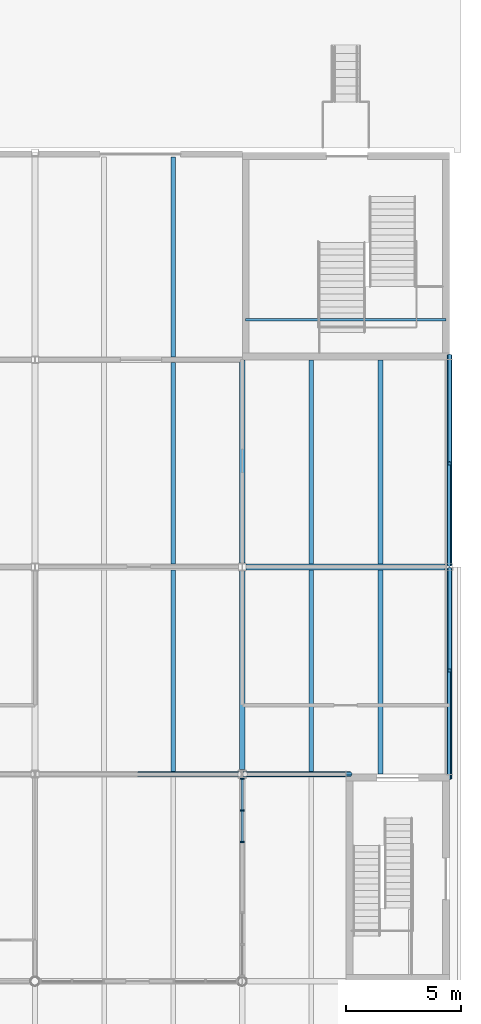
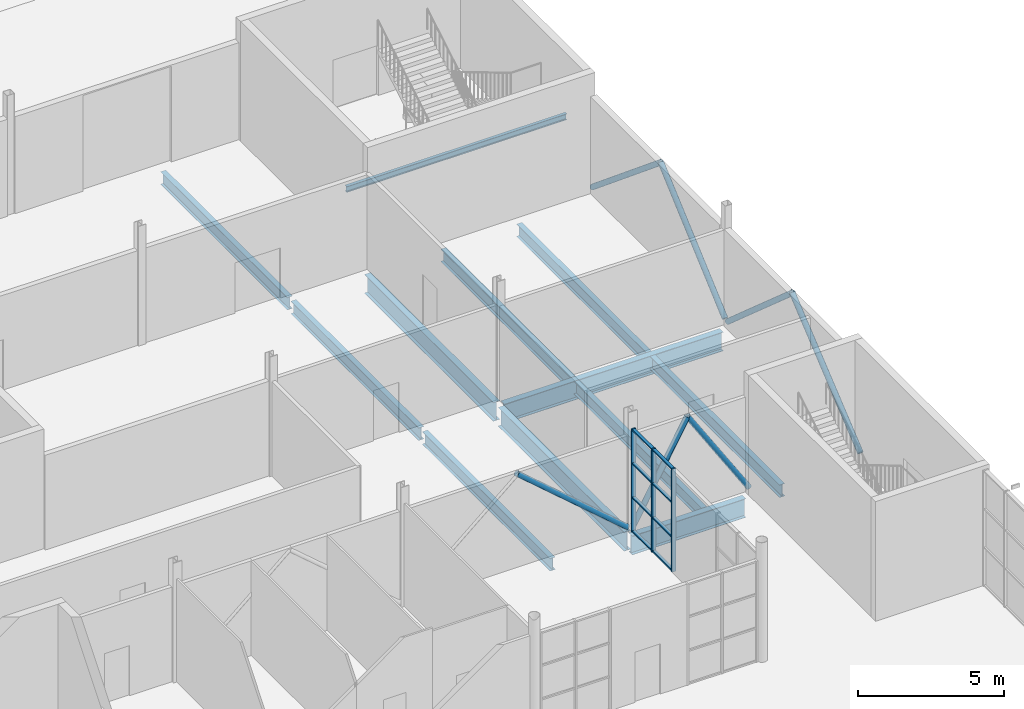
# One storey, part 27 of 63: 18 members, 12 beams, 1 element without a shape of its own.
"""IFC4 building model written with IfcOpenShell, lengths in metres."""

from ifc_helpers import new_model, si_unit, direction, frame, origin, origin_2d, place, context, subcontext, project, spatial, rectangle, hollow_circle, i_section, extrude, material, layer, layer_set, material_profile, profile_set, type_object, element, aggregate, save


model = new_model("IFC4")

# Units and contexts
model_context = context("Model", 3, precision=1e-05, world=origin(), true_north=direction((0.0, 1.0)))
body_context = subcontext(model_context, "Body", "Model", "MODEL_VIEW")
ifc_project = project(units=[si_unit("LENGTHUNIT", "METRE"), si_unit("AREAUNIT", "SQUARE_METRE"), si_unit("VOLUMEUNIT", "CUBIC_METRE"), si_unit("PLANEANGLEUNIT", "RADIAN"), si_unit("MASSUNIT", "GRAM", prefix="KILO")], contexts=[model_context])

# Site, building, storey
site_placement = place(None, origin())
site = spatial("IfcSite", under=ifc_project, at=site_placement, CompositionType="ELEMENT")
building_placement = place(site_placement, origin())
building = spatial("IfcBuilding", under=site, at=building_placement, Name="Halyard Row Museum", CompositionType="ELEMENT")
storey_placement = place(building_placement, origin())
storey = spatial("IfcBuildingStorey", under=building, at=storey_placement, Name="L00", CompositionType="ELEMENT", Elevation=0.0)

# Members
ifc_material_1 = material(Name="Steel Grade C350L0", Category="steel")
ifc_material_profile_1 = material_profile(ifc_material_1, hollow_circle(Radius=0.109619140625, WallThickness=0.00830078125, at=origin_2d()), Name="219.1x8.2CHS")
ifc_profile_set_1 = profile_set([ifc_material_profile_1], Name="Steel Grade C350L0")
member_type_1 = type_object("IfcMemberType", Name="Brace 219.1x8.2CHS", PredefinedType="BRACE", material=ifc_profile_set_1)
member_1_placement = place(storey_placement, frame((108.0, 35.830078125, 0.109619140625), z_axis=(0.0, 0.77065288235, 0.637255156845), x_axis=(-1.0, 0.0, 0.0)))
element("IfcMember", 1, at=member_1_placement, inside=storey, type_object=member_type_1, Name="Brace L00 X108 36-45 A", PredefinedType="BRACE", context=body_context, shape_type="SweptSolid", body=[
    extrude(hollow_circle(Radius=0.109619140625, WallThickness=0.00830078125, at=origin_2d()), origin(), (0.0, 0.0, 1.0), 6.059814453125),
])
for number, where, z_axis, x_axis, name in (
    (2, (108.0, 44.89990234375, 0.109619140625), (0.0, -0.751402913847, 0.659843664107), (1.0, 0.0, 0.0), "Brace L00 X108 36-45 B"),
    (3, (108.0, 45.10009765625, 0.109619140625), (0.0, 0.751402913847, 0.659843664107), (-1.0, 0.0, 0.0), "Brace L00 X108 45-54 A"),
):
    element("IfcMember", number, at=place(storey_placement, frame(where, z_axis=z_axis, x_axis=x_axis)), inside=storey, type_object=member_type_1, Name=name, PredefinedType="BRACE", context=body_context, shape_type="SweptSolid", body=[
        extrude(hollow_circle(Radius=0.109619140625, WallThickness=0.00830078125, at=origin_2d()), origin(), (0.0, 0.0, 1.0), 5.85546875),
    ])
member_2_placement = place(storey_placement, frame((108.0, 54.169921875, 0.109619140625), z_axis=(0.0, -0.77065288235, 0.637255156845), x_axis=(1.0, 0.0, 0.0)))
element("IfcMember", 4, at=member_2_placement, inside=storey, type_object=member_type_1, Name="Brace L00 X108 45-54 B", PredefinedType="BRACE", context=body_context, shape_type="SweptSolid", body=[
    extrude(hollow_circle(Radius=0.109619140625, WallThickness=0.00830078125, at=origin_2d()), origin(), (0.0, 0.0, 1.0), 6.059814453125),
])
member_3_placement = place(storey_placement, frame((98.875, 36.0, 0.109619140625), z_axis=(-0.757436630542, 0.0, 0.65290868482), x_axis=(0.0, -1.0, 0.0)))
element("IfcMember", 5, at=member_3_placement, inside=storey, type_object=member_type_1, Name="Brace L00 Y36 90-99 B", PredefinedType="BRACE", context=body_context, shape_type="SweptSolid", body=[
    extrude(hollow_circle(Radius=0.109619140625, WallThickness=0.00830078125, at=origin_2d()), origin(), (0.0, 0.0, 1.0), 5.776123046875),
])
member_4_placement = place(storey_placement, frame((99.125, 36.0, 0.109619140625), z_axis=(0.488026179712, 0.0, 0.872828991221), x_axis=(0.0, 1.0, 0.0)))
element("IfcMember", 6, at=member_4_placement, inside=storey, type_object=member_type_1, Name="Brace L00 Y36 99-103.5 A", PredefinedType="BRACE", context=body_context, shape_type="SweptSolid", body=[
    extrude(hollow_circle(Radius=0.109619140625, WallThickness=0.00830078125, at=origin_2d()), origin(), (0.0, 0.0, 1.0), 4.354248046875),
])
member_5_placement = place(storey_placement, frame((103.669921875, 36.0, 0.109619140625), z_axis=(-0.537636881011, 0.0, 0.843176484596), x_axis=(0.0, -1.0, 0.0)))
element("IfcMember", 7, at=member_5_placement, inside=storey, type_object=member_type_1, Name="Brace L00 Y36 99-103.5 B", PredefinedType="BRACE", context=body_context, shape_type="SweptSolid", body=[
    extrude(hollow_circle(Radius=0.109619140625, WallThickness=0.00830078125, at=origin_2d()), origin(), (0.0, 0.0, 1.0), 4.5009765625),
])

# Curtain wall, members
ifc_material_2 = material(Name="Fire-resisting laminated glazing", Category="glass")
ifc_layer = layer(ifc_material_2, 0.159912109375)
ifc_layer_set = layer_set([ifc_layer], Name="Fire-resisting laminated glazing")
curtain_wall_type = type_object("IfcCurtainWallType", Name="Curtain wall atrium screen 160 deep", PredefinedType="NOTDEFINED", material=ifc_layer_set)
curtain_wall_placement = place(storey_placement, origin())
curtain_wall = element("IfcCurtainWall", 8, at=curtain_wall_placement, inside=storey, type_object=curtain_wall_type, Name="Curtain wall CW141", PredefinedType="NOTDEFINED")
ifc_material_3 = material(Name="Powder-coated aluminium section", Category="aluminium")
ifc_material_profile_2 = material_profile(ifc_material_3, rectangle(XDim=0.159912109375, YDim=0.06005859375, at=origin_2d()), Name="160x60 mullion")
ifc_profile_set_2 = profile_set([ifc_material_profile_2], Name="Powder-coated aluminium section")
member_type_2 = type_object("IfcMemberType", Name="Curtain wall mullion CM5 60 x 160", PredefinedType="MULLION", material=ifc_profile_set_2)
member_6_placement = place(storey_placement, frame((99.0, 33.046875, 0.0), z_axis=(0.0, 0.0, 1.0), x_axis=(-1.0, 0.0, 0.0)))
member_6 = element("IfcMember", 9, at=member_6_placement, type_object=member_type_2, Name="CW141 mullion 1", PredefinedType="MULLION", context=body_context, shape_type="SweptSolid", body=[
    extrude(rectangle(XDim=0.159912109375, YDim=0.06005859375, at=origin_2d()), origin(), (0.0, 0.0, 1.0), 4.302001953125),
])
member_7_placement = place(storey_placement, frame((99.0, 34.423583984375, 0.0), z_axis=(0.0, 0.0, 1.0), x_axis=(-1.0, 0.0, 0.0)))
member_7 = element("IfcMember", 10, at=member_7_placement, type_object=member_type_2, Name="CW141 mullion 2", PredefinedType="MULLION", context=body_context, shape_type="SweptSolid", body=[
    extrude(rectangle(XDim=0.159912109375, YDim=0.06005859375, at=origin_2d()), origin(), (0.0, 0.0, 1.0), 4.302001953125),
])
member_8_placement = place(storey_placement, frame((99.0, 35.800537109375, 0.0), z_axis=(0.0, 0.0, 1.0), x_axis=(-1.0, 0.0, 0.0)))
member_8 = element("IfcMember", 11, at=member_8_placement, type_object=member_type_2, Name="CW141 mullion 3", PredefinedType="MULLION", context=body_context, shape_type="SweptSolid", body=[
    extrude(rectangle(XDim=0.159912109375, YDim=0.06005859375, at=origin_2d()), origin(), (0.0, 0.0, 1.0), 4.302001953125),
])
ifc_material_4 = material(Name="Powder-coated aluminium section", Category="aluminium")
ifc_material_profile_3 = material_profile(ifc_material_4, rectangle(XDim=0.1201171875, YDim=0.06005859375, at=origin_2d()), Name="120x60 transom")
ifc_profile_set_3 = profile_set([ifc_material_profile_3], Name="Powder-coated aluminium section")
member_type_3 = type_object("IfcMemberType", Name="Curtain wall transom CT5 60 x 120", PredefinedType="USERDEFINED", material=ifc_profile_set_3)
member_9_placement = place(storey_placement, frame((99.0, 33.076904296875, 0.030029296875), z_axis=(0.0, 1.0, 0.0), x_axis=(-1.0, 0.0, 0.0)))
member_9 = element("IfcMember", 12, at=member_9_placement, type_object=member_type_3, Name="CW141 transom 1.1", ObjectType="TRANSOM", PredefinedType="USERDEFINED", context=body_context, shape_type="SweptSolid", body=[
    extrude(rectangle(XDim=0.1201171875, YDim=0.06005859375, at=origin_2d()), origin(), (0.0, 0.0, 1.0), 1.316650390625),
])
member_10_placement = place(storey_placement, frame((99.0, 33.076904296875, 1.43408203125), z_axis=(0.0, 1.0, 0.0), x_axis=(-1.0, 0.0, 0.0)))
member_10 = element("IfcMember", 13, at=member_10_placement, type_object=member_type_3, Name="CW141 transom 1.2", ObjectType="TRANSOM", PredefinedType="USERDEFINED", context=body_context, shape_type="SweptSolid", body=[
    extrude(rectangle(XDim=0.1201171875, YDim=0.06005859375, at=origin_2d()), origin(), (0.0, 0.0, 1.0), 1.316650390625),
])
member_11_placement = place(storey_placement, frame((99.0, 33.076904296875, 2.867919921875), z_axis=(0.0, 1.0, 0.0), x_axis=(-1.0, 0.0, 0.0)))
member_11 = element("IfcMember", 14, at=member_11_placement, type_object=member_type_3, Name="CW141 transom 1.3", ObjectType="TRANSOM", PredefinedType="USERDEFINED", context=body_context, shape_type="SweptSolid", body=[
    extrude(rectangle(XDim=0.1201171875, YDim=0.06005859375, at=origin_2d()), origin(), (0.0, 0.0, 1.0), 1.316650390625),
])
member_12_placement = place(storey_placement, frame((99.0, 33.076904296875, 4.27197265625), z_axis=(0.0, 1.0, 0.0), x_axis=(-1.0, 0.0, 0.0)))
member_12 = element("IfcMember", 15, at=member_12_placement, type_object=member_type_3, Name="CW141 transom 1.4", ObjectType="TRANSOM", PredefinedType="USERDEFINED", context=body_context, shape_type="SweptSolid", body=[
    extrude(rectangle(XDim=0.1201171875, YDim=0.06005859375, at=origin_2d()), origin(), (0.0, 0.0, 1.0), 1.316650390625),
])
member_13_placement = place(storey_placement, frame((99.0, 34.45361328125, 0.030029296875), z_axis=(0.0, 1.0, 0.0), x_axis=(-1.0, 0.0, 0.0)))
member_13 = element("IfcMember", 16, at=member_13_placement, type_object=member_type_3, Name="CW141 transom 2.1", ObjectType="TRANSOM", PredefinedType="USERDEFINED", context=body_context, shape_type="SweptSolid", body=[
    extrude(rectangle(XDim=0.1201171875, YDim=0.06005859375, at=origin_2d()), origin(), (0.0, 0.0, 1.0), 1.31689453125),
])
member_14_placement = place(storey_placement, frame((99.0, 34.45361328125, 1.43408203125), z_axis=(0.0, 1.0, 0.0), x_axis=(-1.0, 0.0, 0.0)))
member_14 = element("IfcMember", 17, at=member_14_placement, type_object=member_type_3, Name="CW141 transom 2.2", ObjectType="TRANSOM", PredefinedType="USERDEFINED", context=body_context, shape_type="SweptSolid", body=[
    extrude(rectangle(XDim=0.1201171875, YDim=0.06005859375, at=origin_2d()), origin(), (0.0, 0.0, 1.0), 1.31689453125),
])
member_15_placement = place(storey_placement, frame((99.0, 34.45361328125, 2.867919921875), z_axis=(0.0, 1.0, 0.0), x_axis=(-1.0, 0.0, 0.0)))
member_15 = element("IfcMember", 18, at=member_15_placement, type_object=member_type_3, Name="CW141 transom 2.3", ObjectType="TRANSOM", PredefinedType="USERDEFINED", context=body_context, shape_type="SweptSolid", body=[
    extrude(rectangle(XDim=0.1201171875, YDim=0.06005859375, at=origin_2d()), origin(), (0.0, 0.0, 1.0), 1.31689453125),
])
member_16_placement = place(storey_placement, frame((99.0, 34.45361328125, 4.27197265625), z_axis=(0.0, 1.0, 0.0), x_axis=(-1.0, 0.0, 0.0)))
member_16 = element("IfcMember", 19, at=member_16_placement, type_object=member_type_3, Name="CW141 transom 2.4", ObjectType="TRANSOM", PredefinedType="USERDEFINED", context=body_context, shape_type="SweptSolid", body=[
    extrude(rectangle(XDim=0.1201171875, YDim=0.06005859375, at=origin_2d()), origin(), (0.0, 0.0, 1.0), 1.31689453125),
])
aggregate(curtain_wall, [member_6, member_7, member_8, member_9, member_10, member_11, member_12, member_13, member_14, member_15, member_16])

# Beams
ifc_material_5 = material(Name="Steel Grade 300", Category="steel")
ifc_material_profile_4 = material_profile(ifc_material_5, i_section(OverallWidth=0.25, OverallDepth=0.7919921875, WebThickness=0.010009765625, FlangeThickness=0.01611328125, at=origin_2d()), Name="800WB122")
ifc_profile_set_4 = profile_set([ifc_material_profile_4], Name="Steel Grade 300")
beam_type_1 = type_object("IfcBeamType", Name="Girder beam 800WB122 (lowered 85)", PredefinedType="BEAM", material=ifc_profile_set_4)
beam_1_placement = place(storey_placement, frame((99.012451171875, 36.0, -0.64599609375), z_axis=(1.0, 0.0, 0.0), x_axis=(0.0, 1.0, 0.0)))
element("IfcBeam", 20, at=beam_1_placement, inside=storey, type_object=beam_type_1, Name="Beam L00-033", PredefinedType="BEAM", context=body_context, shape_type="SweptSolid", body=[
    extrude(i_section(OverallWidth=0.25, OverallDepth=0.7919921875, WebThickness=0.010009765625, FlangeThickness=0.01611328125, at=origin_2d()), origin(), (0.0, 0.0, 1.0), 4.487548828125),
])
beam_2_placement = place(storey_placement, frame((99.155517578125, 45.0, -0.64599609375), z_axis=(1.0, 0.0, 0.0), x_axis=(0.0, 1.0, 0.0)))
element("IfcBeam", 21, at=beam_2_placement, inside=storey, type_object=beam_type_1, Name="Beam L00-036", PredefinedType="BEAM", context=body_context, shape_type="SweptSolid", body=[
    extrude(i_section(OverallWidth=0.25, OverallDepth=0.7919921875, WebThickness=0.010009765625, FlangeThickness=0.01611328125, at=origin_2d()), origin(), (0.0, 0.0, 1.0), 8.64453125),
])
beam_3_placement = place(storey_placement, frame((99.0, 36.20703125, -0.64599609375), z_axis=(0.0, 1.0, 0.0), x_axis=(-1.0, 0.0, 0.0)))
element("IfcBeam", 22, at=beam_3_placement, inside=storey, type_object=beam_type_1, Name="Beam L00-077", PredefinedType="BEAM", context=body_context, shape_type="SweptSolid", body=[
    extrude(i_section(OverallWidth=0.25, OverallDepth=0.7919921875, WebThickness=0.010009765625, FlangeThickness=0.01611328125, at=origin_2d()), origin(), (0.0, 0.0, 1.0), 8.62939453125),
])
beam_4_placement = place(storey_placement, frame((99.0, 45.16357421875, -0.64599609375), z_axis=(0.0, 1.0, 0.0), x_axis=(-1.0, 0.0, 0.0)))
element("IfcBeam", 23, at=beam_4_placement, inside=storey, type_object=beam_type_1, Name="Beam L00-078", PredefinedType="BEAM", context=body_context, shape_type="SweptSolid", body=[
    extrude(i_section(OverallWidth=0.25, OverallDepth=0.7919921875, WebThickness=0.010009765625, FlangeThickness=0.01611328125, at=origin_2d()), origin(), (0.0, 0.0, 1.0), 8.83642578125),
])
ifc_material_6 = material(Name="Steel Grade 300", Category="steel")
ifc_material_profile_5 = material_profile(ifc_material_6, i_section(OverallWidth=0.1240234375, OverallDepth=0.248046875, WebThickness=0.0048828125, FlangeThickness=0.008056640625, FilletRadius=0.011962890625, at=origin_2d()), Name="250UB25.7")
ifc_profile_set_5 = profile_set([ifc_material_profile_5], Name="Steel Grade 300")
beam_type_2 = type_object("IfcBeamType", Name="Landing trimmer 250UB25.7", PredefinedType="BEAM", material=ifc_profile_set_5)
beam_5_placement = place(storey_placement, frame((107.85009765625, 55.739990234375, 2.176025390625), z_axis=(-1.0, 0.0, 0.0), x_axis=(0.0, -1.0, 0.0)))
element("IfcBeam", 24, at=beam_5_placement, inside=storey, type_object=beam_type_2, Name="Landing trimmer K5B L00 1", PredefinedType="BEAM", context=body_context, shape_type="SweptSolid", body=[
    extrude(i_section(OverallWidth=0.1240234375, OverallDepth=0.248046875, WebThickness=0.0048828125, FlangeThickness=0.008056640625, FilletRadius=0.011962890625, at=origin_2d()), origin(), (0.0, 0.0, 1.0), 8.7001953125),
])
ifc_material_7 = material(Name="Steel Grade 300", Category="steel")
ifc_material_profile_6 = material_profile(ifc_material_7, i_section(OverallWidth=0.208984375, OverallDepth=0.5283203125, WebThickness=0.009521484375, FlangeThickness=0.01318359375, FilletRadius=0.013916015625, at=origin_2d()), Name="530UB82.0")
ifc_profile_set_6 = profile_set([ifc_material_profile_6], Name="Steel Grade 300")
beam_type_3 = type_object("IfcBeamType", Name="Secondary beam 530UB82.0 (lowered 85)", PredefinedType="BEAM", material=ifc_profile_set_6)
beam_6_placement = place(storey_placement, frame((105.0, 36.0, -0.51416015625), z_axis=(0.0, 1.0, 0.0), x_axis=(-1.0, 0.0, 0.0)))
element("IfcBeam", 25, at=beam_6_placement, inside=storey, type_object=beam_type_3, Name="Beam L00-142", PredefinedType="BEAM", context=body_context, shape_type="SweptSolid", body=[
    extrude(i_section(OverallWidth=0.208984375, OverallDepth=0.5283203125, WebThickness=0.009521484375, FlangeThickness=0.01318359375, FilletRadius=0.013916015625, at=origin_2d()), origin(), (0.0, 0.0, 1.0), 8.875),
])
for number, where, z_axis, x_axis, name in (
    (26, (96.0, 36.125, -0.51416015625), (0.0, 1.0, 0.0), (-1.0, 0.0, 0.0), "Beam L00-159"),
    (27, (102.0, 36.125, -0.51416015625), (0.0, 1.0, 0.0), (-1.0, 0.0, 0.0), "Beam L00-160"),
    (28, (96.0, 45.125, -0.51416015625), (0.0, 1.0, 0.0), (-1.0, 0.0, 0.0), "Beam L00-164"),
):
    element("IfcBeam", number, at=place(storey_placement, frame(where, z_axis=z_axis, x_axis=x_axis)), inside=storey, type_object=beam_type_3, Name=name, PredefinedType="BEAM", context=body_context, shape_type="SweptSolid", body=[
        extrude(i_section(OverallWidth=0.208984375, OverallDepth=0.5283203125, WebThickness=0.009521484375, FlangeThickness=0.01318359375, FilletRadius=0.013916015625, at=origin_2d()), origin(), (0.0, 0.0, 1.0), 8.75),
    ])
for number, where, z_axis, x_axis, name in (
    (29, (102.0, 45.125, -0.51416015625), (0.0, 1.0, 0.0), (-1.0, 0.0, 0.0), "Beam L00-165"),
    (30, (105.0, 45.125, -0.51416015625), (0.0, 1.0, 0.0), (-1.0, 0.0, 0.0), "Beam L00-166"),
):
    element("IfcBeam", number, at=place(storey_placement, frame(where, z_axis=z_axis, x_axis=x_axis)), inside=storey, type_object=beam_type_3, Name=name, PredefinedType="BEAM", context=body_context, shape_type="SweptSolid", body=[
        extrude(i_section(OverallWidth=0.208984375, OverallDepth=0.5283203125, WebThickness=0.009521484375, FlangeThickness=0.01318359375, FilletRadius=0.013916015625, at=origin_2d()), origin(), (0.0, 0.0, 1.0), 8.875),
    ])
beam_7_placement = place(storey_placement, frame((96.0, 54.125, -0.51416015625), z_axis=(0.0, 1.0, 0.0), x_axis=(-1.0, 0.0, 0.0)))
element("IfcBeam", 31, at=beam_7_placement, inside=storey, type_object=beam_type_3, Name="Beam L00-170", PredefinedType="BEAM", context=body_context, shape_type="SweptSolid", body=[
    extrude(i_section(OverallWidth=0.208984375, OverallDepth=0.5283203125, WebThickness=0.009521484375, FlangeThickness=0.01318359375, FilletRadius=0.013916015625, at=origin_2d()), origin(), (0.0, 0.0, 1.0), 8.675048828125),
])

save(model, "model.ifc")
